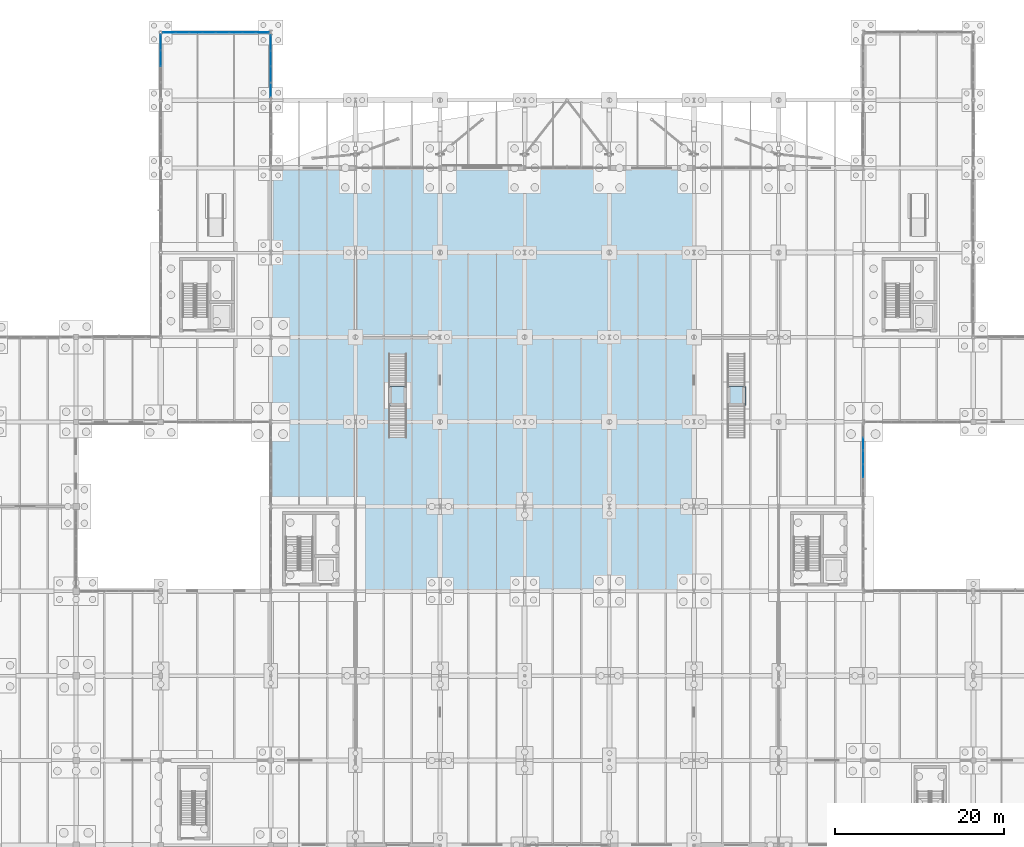
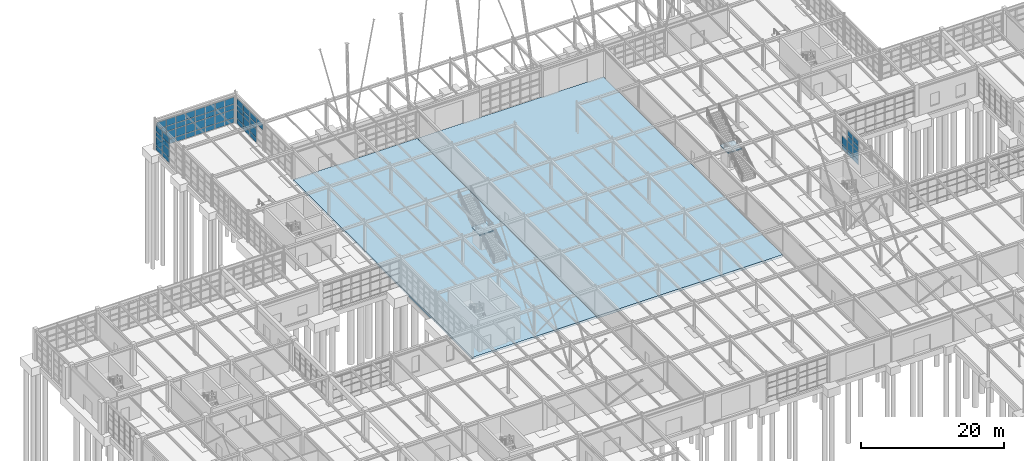
# One storey, part 90 of 145: 63 plates, 4 slabs, 6 elements without a shape of their own.
"""IFC4 building model written with IfcOpenShell, lengths in metres."""

from ifc_helpers import new_model, si_unit, direction, frame, origin, origin_2d, place, context, subcontext, project, spatial, polyline, rectangle, outline, extrude, material, layer, layer_set, type_object, element, aggregate, save


model = new_model("IFC4")

# Units and contexts
model_context = context("Model", 3, precision=1e-05, world=origin(), true_north=direction((0.0, 1.0)))
body_context = subcontext(model_context, "Body", "Model", "MODEL_VIEW")
ifc_project = project(units=[si_unit("LENGTHUNIT", "METRE"), si_unit("AREAUNIT", "SQUARE_METRE"), si_unit("VOLUMEUNIT", "CUBIC_METRE"), si_unit("PLANEANGLEUNIT", "RADIAN"), si_unit("MASSUNIT", "GRAM", prefix="KILO"), si_unit("THERMODYNAMICTEMPERATUREUNIT", "KELVIN"), si_unit("POWERUNIT", "WATT")], contexts=[model_context])

# Site, building, storey
site_placement = place(None, origin())
site = spatial("IfcSite", under=ifc_project, at=site_placement, CompositionType="ELEMENT")
building_placement = place(site_placement, origin())
building = spatial("IfcBuilding", under=site, at=building_placement, Name="Korenveer Ferry Terminal", CompositionType="ELEMENT")
storey_placement = place(building_placement, origin())
storey = spatial("IfcBuildingStorey", under=building, at=storey_placement, Name="L00", CompositionType="ELEMENT", Elevation=0.0)

# Curtain wall, plates
ifc_material_1 = material(Name="Unitised bronze-and-glass curtain wall", Category="glass")
ifc_layer_1 = layer(ifc_material_1, 0.219970703125)
ifc_layer_set_1 = layer_set([ifc_layer_1], Name="Unitised bronze-and-glass curtain wall")
curtain_wall_type_1 = type_object("IfcCurtainWallType", Name="ENV-CW-16", PredefinedType="USERDEFINED", material=ifc_layer_set_1)
curtain_wall_1_placement = place(storey_placement, frame((40.207763671875, 116.0, 0.0)))
curtain_wall_1 = element("IfcCurtainWall", 1, at=curtain_wall_1_placement, inside=storey, type_object=curtain_wall_type_1, Name="Lancet curtain wall CWX-L00-X40-53-Y116-116", ObjectType="UNITISED CURTAIN WALL", PredefinedType="USERDEFINED")
ifc_material_2 = material(Name="Acoustic laminated marine glazing", Category="glass")
ifc_layer_2 = layer(ifc_material_2, 0.035888671875)
ifc_layer_set_2 = layer_set([ifc_layer_2], Name="Acoustic laminated marine glazing")
plate_type = type_object("IfcPlateType", Name="ENV-CWP-GLZ36", PredefinedType="CURTAIN_PANEL", material=ifc_layer_set_2)
plate_1_placement = place(storey_placement, frame((41.014892578125, 116.0, 0.074951171875), z_axis=(0.0, 0.0, 1.0), x_axis=(1.0, 0.0, 0.0)))
plate_1 = element("IfcPlate", 2, at=plate_1_placement, type_object=plate_type, Name="CW-16 panel 1.1", PredefinedType="CURTAIN_PANEL", context=body_context, shape_type="SweptSolid", body=[
    extrude(rectangle(XDim=1.464111328125, YDim=0.035888671875, at=origin_2d()), origin(), (0.0, 0.0, 1.0), 0.78759765625),
])
plate_2_placement = place(storey_placement, frame((41.014892578125, 116.0, 0.9375), z_axis=(0.0, 0.0, 1.0), x_axis=(1.0, 0.0, 0.0)))
plate_2 = element("IfcPlate", 3, at=plate_2_placement, type_object=plate_type, Name="CW-16 panel 1.2", PredefinedType="CURTAIN_PANEL", context=body_context, shape_type="SweptSolid", body=[
    extrude(rectangle(XDim=1.464111328125, YDim=0.035888671875, at=origin_2d()), origin(), (0.0, 0.0, 1.0), 1.375),
])
plate_3_placement = place(storey_placement, frame((41.014892578125, 116.0, 2.3876953125), z_axis=(0.0, 0.0, 1.0), x_axis=(1.0, 0.0, 0.0)))
plate_3 = element("IfcPlate", 4, at=plate_3_placement, type_object=plate_type, Name="CW-16 panel 1.3", PredefinedType="CURTAIN_PANEL", context=body_context, shape_type="SweptSolid", body=[
    extrude(rectangle(XDim=1.464111328125, YDim=0.035888671875, at=origin_2d()), origin(), (0.0, 0.0, 1.0), 0.824951171875),
])
plate_4_placement = place(storey_placement, frame((41.014892578125, 116.0, 3.28759765625), z_axis=(0.0, 0.0, 1.0), x_axis=(1.0, 0.0, 0.0)))
plate_4 = element("IfcPlate", 5, at=plate_4_placement, type_object=plate_type, Name="CW-16 panel 1.4", PredefinedType="CURTAIN_PANEL", context=body_context, shape_type="SweptSolid", body=[
    extrude(rectangle(XDim=1.464111328125, YDim=0.035888671875, at=origin_2d()), origin(), (0.0, 0.0, 1.0), 1.12744140625),
])
plate_5_placement = place(storey_placement, frame((42.572509765625, 116.0, 0.074951171875), z_axis=(0.0, 0.0, 1.0), x_axis=(1.0, 0.0, 0.0)))
plate_5 = element("IfcPlate", 6, at=plate_5_placement, type_object=plate_type, Name="CW-16 panel 2.1", PredefinedType="CURTAIN_PANEL", context=body_context, shape_type="SweptSolid", body=[
    extrude(rectangle(XDim=1.50146484375, YDim=0.035888671875, at=origin_2d()), origin(), (0.0, 0.0, 1.0), 0.78759765625),
])
plate_6_placement = place(storey_placement, frame((42.572509765625, 116.0, 0.9375), z_axis=(0.0, 0.0, 1.0), x_axis=(1.0, 0.0, 0.0)))
plate_6 = element("IfcPlate", 7, at=plate_6_placement, type_object=plate_type, Name="CW-16 panel 2.2", PredefinedType="CURTAIN_PANEL", context=body_context, shape_type="SweptSolid", body=[
    extrude(rectangle(XDim=1.50146484375, YDim=0.035888671875, at=origin_2d()), origin(), (0.0, 0.0, 1.0), 1.375),
])
plate_7_placement = place(storey_placement, frame((42.572509765625, 116.0, 2.3876953125), z_axis=(0.0, 0.0, 1.0), x_axis=(1.0, 0.0, 0.0)))
plate_7 = element("IfcPlate", 8, at=plate_7_placement, type_object=plate_type, Name="CW-16 panel 2.3", PredefinedType="CURTAIN_PANEL", context=body_context, shape_type="SweptSolid", body=[
    extrude(rectangle(XDim=1.50146484375, YDim=0.035888671875, at=origin_2d()), origin(), (0.0, 0.0, 1.0), 0.824951171875),
])
plate_8_placement = place(storey_placement, frame((42.572509765625, 116.0, 3.28759765625), z_axis=(0.0, 0.0, 1.0), x_axis=(1.0, 0.0, 0.0)))
plate_8 = element("IfcPlate", 9, at=plate_8_placement, type_object=plate_type, Name="CW-16 panel 2.4", PredefinedType="CURTAIN_PANEL", context=body_context, shape_type="SweptSolid", body=[
    extrude(rectangle(XDim=1.50146484375, YDim=0.035888671875, at=origin_2d()), origin(), (0.0, 0.0, 1.0), 1.12744140625),
])
plate_9_placement = place(storey_placement, frame((44.149169921875, 116.0, 0.074951171875), z_axis=(0.0, 0.0, 1.0), x_axis=(1.0, 0.0, 0.0)))
plate_9 = element("IfcPlate", 10, at=plate_9_placement, type_object=plate_type, Name="CW-16 panel 3.1", PredefinedType="CURTAIN_PANEL", context=body_context, shape_type="SweptSolid", body=[
    extrude(rectangle(XDim=1.50146484375, YDim=0.035888671875, at=origin_2d()), origin(), (0.0, 0.0, 1.0), 0.78759765625),
])
plate_10_placement = place(storey_placement, frame((44.149169921875, 116.0, 0.9375), z_axis=(0.0, 0.0, 1.0), x_axis=(1.0, 0.0, 0.0)))
plate_10 = element("IfcPlate", 11, at=plate_10_placement, type_object=plate_type, Name="CW-16 panel 3.2", PredefinedType="CURTAIN_PANEL", context=body_context, shape_type="SweptSolid", body=[
    extrude(rectangle(XDim=1.50146484375, YDim=0.035888671875, at=origin_2d()), origin(), (0.0, 0.0, 1.0), 1.375),
])
plate_11_placement = place(storey_placement, frame((44.149169921875, 116.0, 2.3876953125), z_axis=(0.0, 0.0, 1.0), x_axis=(1.0, 0.0, 0.0)))
plate_11 = element("IfcPlate", 12, at=plate_11_placement, type_object=plate_type, Name="CW-16 panel 3.3", PredefinedType="CURTAIN_PANEL", context=body_context, shape_type="SweptSolid", body=[
    extrude(rectangle(XDim=1.50146484375, YDim=0.035888671875, at=origin_2d()), origin(), (0.0, 0.0, 1.0), 0.824951171875),
])
plate_12_placement = place(storey_placement, frame((44.149169921875, 116.0, 3.28759765625), z_axis=(0.0, 0.0, 1.0), x_axis=(1.0, 0.0, 0.0)))
plate_12 = element("IfcPlate", 13, at=plate_12_placement, type_object=plate_type, Name="CW-16 panel 3.4", PredefinedType="CURTAIN_PANEL", context=body_context, shape_type="SweptSolid", body=[
    extrude(rectangle(XDim=1.50146484375, YDim=0.035888671875, at=origin_2d()), origin(), (0.0, 0.0, 1.0), 1.12744140625),
])
plate_13_placement = place(storey_placement, frame((45.7255859375, 116.0, 0.074951171875), z_axis=(0.0, 0.0, 1.0), x_axis=(1.0, 0.0, 0.0)))
plate_13 = element("IfcPlate", 14, at=plate_13_placement, type_object=plate_type, Name="CW-16 panel 4.1", PredefinedType="CURTAIN_PANEL", context=body_context, shape_type="SweptSolid", body=[
    extrude(rectangle(XDim=1.50146484375, YDim=0.035888671875, at=origin_2d()), origin(), (0.0, 0.0, 1.0), 0.78759765625),
])
plate_14_placement = place(storey_placement, frame((45.7255859375, 116.0, 0.9375), z_axis=(0.0, 0.0, 1.0), x_axis=(1.0, 0.0, 0.0)))
plate_14 = element("IfcPlate", 15, at=plate_14_placement, type_object=plate_type, Name="CW-16 panel 4.2", PredefinedType="CURTAIN_PANEL", context=body_context, shape_type="SweptSolid", body=[
    extrude(rectangle(XDim=1.50146484375, YDim=0.035888671875, at=origin_2d()), origin(), (0.0, 0.0, 1.0), 1.375),
])
plate_15_placement = place(storey_placement, frame((45.7255859375, 116.0, 2.3876953125), z_axis=(0.0, 0.0, 1.0), x_axis=(1.0, 0.0, 0.0)))
plate_15 = element("IfcPlate", 16, at=plate_15_placement, type_object=plate_type, Name="CW-16 panel 4.3", PredefinedType="CURTAIN_PANEL", context=body_context, shape_type="SweptSolid", body=[
    extrude(rectangle(XDim=1.50146484375, YDim=0.035888671875, at=origin_2d()), origin(), (0.0, 0.0, 1.0), 0.824951171875),
])
plate_16_placement = place(storey_placement, frame((45.7255859375, 116.0, 3.28759765625), z_axis=(0.0, 0.0, 1.0), x_axis=(1.0, 0.0, 0.0)))
plate_16 = element("IfcPlate", 17, at=plate_16_placement, type_object=plate_type, Name="CW-16 panel 4.4", PredefinedType="CURTAIN_PANEL", context=body_context, shape_type="SweptSolid", body=[
    extrude(rectangle(XDim=1.50146484375, YDim=0.035888671875, at=origin_2d()), origin(), (0.0, 0.0, 1.0), 1.12744140625),
])
plate_17_placement = place(storey_placement, frame((47.30224609375, 116.0, 0.074951171875), z_axis=(0.0, 0.0, 1.0), x_axis=(1.0, 0.0, 0.0)))
plate_17 = element("IfcPlate", 18, at=plate_17_placement, type_object=plate_type, Name="CW-16 panel 5.1", PredefinedType="CURTAIN_PANEL", context=body_context, shape_type="SweptSolid", body=[
    extrude(rectangle(XDim=1.50146484375, YDim=0.035888671875, at=origin_2d()), origin(), (0.0, 0.0, 1.0), 0.78759765625),
])
plate_18_placement = place(storey_placement, frame((47.30224609375, 116.0, 0.9375), z_axis=(0.0, 0.0, 1.0), x_axis=(1.0, 0.0, 0.0)))
plate_18 = element("IfcPlate", 19, at=plate_18_placement, type_object=plate_type, Name="CW-16 panel 5.2", PredefinedType="CURTAIN_PANEL", context=body_context, shape_type="SweptSolid", body=[
    extrude(rectangle(XDim=1.50146484375, YDim=0.035888671875, at=origin_2d()), origin(), (0.0, 0.0, 1.0), 1.375),
])
plate_19_placement = place(storey_placement, frame((47.30224609375, 116.0, 2.3876953125), z_axis=(0.0, 0.0, 1.0), x_axis=(1.0, 0.0, 0.0)))
plate_19 = element("IfcPlate", 20, at=plate_19_placement, type_object=plate_type, Name="CW-16 panel 5.3", PredefinedType="CURTAIN_PANEL", context=body_context, shape_type="SweptSolid", body=[
    extrude(rectangle(XDim=1.50146484375, YDim=0.035888671875, at=origin_2d()), origin(), (0.0, 0.0, 1.0), 0.824951171875),
])
plate_20_placement = place(storey_placement, frame((47.30224609375, 116.0, 3.28759765625), z_axis=(0.0, 0.0, 1.0), x_axis=(1.0, 0.0, 0.0)))
plate_20 = element("IfcPlate", 21, at=plate_20_placement, type_object=plate_type, Name="CW-16 panel 5.4", PredefinedType="CURTAIN_PANEL", context=body_context, shape_type="SweptSolid", body=[
    extrude(rectangle(XDim=1.50146484375, YDim=0.035888671875, at=origin_2d()), origin(), (0.0, 0.0, 1.0), 1.12744140625),
])
plate_21_placement = place(storey_placement, frame((48.878662109375, 116.0, 0.074951171875), z_axis=(0.0, 0.0, 1.0), x_axis=(1.0, 0.0, 0.0)))
plate_21 = element("IfcPlate", 22, at=plate_21_placement, type_object=plate_type, Name="CW-16 panel 6.1", PredefinedType="CURTAIN_PANEL", context=body_context, shape_type="SweptSolid", body=[
    extrude(rectangle(XDim=1.50146484375, YDim=0.035888671875, at=origin_2d()), origin(), (0.0, 0.0, 1.0), 0.78759765625),
])
plate_22_placement = place(storey_placement, frame((48.878662109375, 116.0, 0.9375), z_axis=(0.0, 0.0, 1.0), x_axis=(1.0, 0.0, 0.0)))
plate_22 = element("IfcPlate", 23, at=plate_22_placement, type_object=plate_type, Name="CW-16 panel 6.2", PredefinedType="CURTAIN_PANEL", context=body_context, shape_type="SweptSolid", body=[
    extrude(rectangle(XDim=1.50146484375, YDim=0.035888671875, at=origin_2d()), origin(), (0.0, 0.0, 1.0), 1.375),
])
plate_23_placement = place(storey_placement, frame((48.878662109375, 116.0, 2.3876953125), z_axis=(0.0, 0.0, 1.0), x_axis=(1.0, 0.0, 0.0)))
plate_23 = element("IfcPlate", 24, at=plate_23_placement, type_object=plate_type, Name="CW-16 panel 6.3", PredefinedType="CURTAIN_PANEL", context=body_context, shape_type="SweptSolid", body=[
    extrude(rectangle(XDim=1.50146484375, YDim=0.035888671875, at=origin_2d()), origin(), (0.0, 0.0, 1.0), 0.824951171875),
])
plate_24_placement = place(storey_placement, frame((48.878662109375, 116.0, 3.28759765625), z_axis=(0.0, 0.0, 1.0), x_axis=(1.0, 0.0, 0.0)))
plate_24 = element("IfcPlate", 25, at=plate_24_placement, type_object=plate_type, Name="CW-16 panel 6.4", PredefinedType="CURTAIN_PANEL", context=body_context, shape_type="SweptSolid", body=[
    extrude(rectangle(XDim=1.50146484375, YDim=0.035888671875, at=origin_2d()), origin(), (0.0, 0.0, 1.0), 1.12744140625),
])
plate_25_placement = place(storey_placement, frame((50.455322265625, 116.0, 0.074951171875), z_axis=(0.0, 0.0, 1.0), x_axis=(1.0, 0.0, 0.0)))
plate_25 = element("IfcPlate", 26, at=plate_25_placement, type_object=plate_type, Name="CW-16 panel 7.1", PredefinedType="CURTAIN_PANEL", context=body_context, shape_type="SweptSolid", body=[
    extrude(rectangle(XDim=1.50146484375, YDim=0.035888671875, at=origin_2d()), origin(), (0.0, 0.0, 1.0), 0.78759765625),
])
plate_26_placement = place(storey_placement, frame((50.455322265625, 116.0, 0.9375), z_axis=(0.0, 0.0, 1.0), x_axis=(1.0, 0.0, 0.0)))
plate_26 = element("IfcPlate", 27, at=plate_26_placement, type_object=plate_type, Name="CW-16 panel 7.2", PredefinedType="CURTAIN_PANEL", context=body_context, shape_type="SweptSolid", body=[
    extrude(rectangle(XDim=1.50146484375, YDim=0.035888671875, at=origin_2d()), origin(), (0.0, 0.0, 1.0), 1.375),
])
plate_27_placement = place(storey_placement, frame((50.455322265625, 116.0, 2.3876953125), z_axis=(0.0, 0.0, 1.0), x_axis=(1.0, 0.0, 0.0)))
plate_27 = element("IfcPlate", 28, at=plate_27_placement, type_object=plate_type, Name="CW-16 panel 7.3", PredefinedType="CURTAIN_PANEL", context=body_context, shape_type="SweptSolid", body=[
    extrude(rectangle(XDim=1.50146484375, YDim=0.035888671875, at=origin_2d()), origin(), (0.0, 0.0, 1.0), 0.824951171875),
])
plate_28_placement = place(storey_placement, frame((50.455322265625, 116.0, 3.28759765625), z_axis=(0.0, 0.0, 1.0), x_axis=(1.0, 0.0, 0.0)))
plate_28 = element("IfcPlate", 29, at=plate_28_placement, type_object=plate_type, Name="CW-16 panel 7.4", PredefinedType="CURTAIN_PANEL", context=body_context, shape_type="SweptSolid", body=[
    extrude(rectangle(XDim=1.50146484375, YDim=0.035888671875, at=origin_2d()), origin(), (0.0, 0.0, 1.0), 1.12744140625),
])
plate_29_placement = place(storey_placement, frame((52.012939453125, 116.0, 0.074951171875), z_axis=(0.0, 0.0, 1.0), x_axis=(1.0, 0.0, 0.0)))
plate_29 = element("IfcPlate", 30, at=plate_29_placement, type_object=plate_type, Name="CW-16 panel 8.1", PredefinedType="CURTAIN_PANEL", context=body_context, shape_type="SweptSolid", body=[
    extrude(rectangle(XDim=1.464111328125, YDim=0.035888671875, at=origin_2d()), origin(), (0.0, 0.0, 1.0), 0.78759765625),
])
plate_30_placement = place(storey_placement, frame((52.012939453125, 116.0, 0.9375), z_axis=(0.0, 0.0, 1.0), x_axis=(1.0, 0.0, 0.0)))
plate_30 = element("IfcPlate", 31, at=plate_30_placement, type_object=plate_type, Name="CW-16 panel 8.2", PredefinedType="CURTAIN_PANEL", context=body_context, shape_type="SweptSolid", body=[
    extrude(rectangle(XDim=1.464111328125, YDim=0.035888671875, at=origin_2d()), origin(), (0.0, 0.0, 1.0), 1.375),
])
plate_31_placement = place(storey_placement, frame((52.012939453125, 116.0, 2.3876953125), z_axis=(0.0, 0.0, 1.0), x_axis=(1.0, 0.0, 0.0)))
plate_31 = element("IfcPlate", 32, at=plate_31_placement, type_object=plate_type, Name="CW-16 panel 8.3", PredefinedType="CURTAIN_PANEL", context=body_context, shape_type="SweptSolid", body=[
    extrude(rectangle(XDim=1.464111328125, YDim=0.035888671875, at=origin_2d()), origin(), (0.0, 0.0, 1.0), 0.824951171875),
])
plate_32_placement = place(storey_placement, frame((52.012939453125, 116.0, 3.28759765625), z_axis=(0.0, 0.0, 1.0), x_axis=(1.0, 0.0, 0.0)))
plate_32 = element("IfcPlate", 33, at=plate_32_placement, type_object=plate_type, Name="CW-16 panel 8.4", PredefinedType="CURTAIN_PANEL", context=body_context, shape_type="SweptSolid", body=[
    extrude(rectangle(XDim=1.464111328125, YDim=0.035888671875, at=origin_2d()), origin(), (0.0, 0.0, 1.0), 1.12744140625),
])
aggregate(curtain_wall_1, [plate_1, plate_2, plate_3, plate_4, plate_5, plate_6, plate_7, plate_8, plate_9, plate_10, plate_11, plate_12, plate_13, plate_14, plate_15, plate_16, plate_17, plate_18, plate_19, plate_20, plate_21, plate_22, plate_23, plate_24, plate_25, plate_26, plate_27, plate_28, plate_29, plate_30, plate_31, plate_32])

ifc_layer_3 = layer(ifc_material_1, 0.219970703125)
ifc_layer_set_3 = layer_set([ifc_layer_3], Name="Unitised bronze-and-glass curtain wall")
curtain_wall_type_2 = type_object("IfcCurtainWallType", Name="ENV-CW-24", PredefinedType="USERDEFINED", material=ifc_layer_set_3)
curtain_wall_2_placement = place(storey_placement, frame((40.0, 108.207763671875, 0.0)))
curtain_wall_2 = element("IfcCurtainWall", 34, at=curtain_wall_2_placement, inside=storey, type_object=curtain_wall_type_2, Name="Lancet curtain wall CWX-L00-X40-40-Y108-116", ObjectType="UNITISED CURTAIN WALL", PredefinedType="USERDEFINED")
plate_33_placement = place(storey_placement, frame((40.0, 112.947998046875, 0.074951171875), z_axis=(0.0, 0.0, 1.0), x_axis=(0.0, 1.0, 0.0)))
plate_33 = element("IfcPlate", 35, at=plate_33_placement, type_object=plate_type, Name="CW-24 panel 3.1", PredefinedType="CURTAIN_PANEL", context=body_context, shape_type="SweptSolid", body=[
    extrude(rectangle(XDim=1.821044921875, YDim=0.035888671875, at=origin_2d()), origin(), (0.0, 0.0, 1.0), 0.78759765625),
])
plate_34_placement = place(storey_placement, frame((40.0, 112.947998046875, 0.9375), z_axis=(0.0, 0.0, 1.0), x_axis=(0.0, 1.0, 0.0)))
plate_34 = element("IfcPlate", 36, at=plate_34_placement, type_object=plate_type, Name="CW-24 panel 3.2", PredefinedType="CURTAIN_PANEL", context=body_context, shape_type="SweptSolid", body=[
    extrude(rectangle(XDim=1.821044921875, YDim=0.035888671875, at=origin_2d()), origin(), (0.0, 0.0, 1.0), 1.375),
])
plate_35_placement = place(storey_placement, frame((40.0, 112.947998046875, 2.3876953125), z_axis=(0.0, 0.0, 1.0), x_axis=(0.0, 1.0, 0.0)))
plate_35 = element("IfcPlate", 37, at=plate_35_placement, type_object=plate_type, Name="CW-24 panel 3.3", PredefinedType="CURTAIN_PANEL", context=body_context, shape_type="SweptSolid", body=[
    extrude(rectangle(XDim=1.821044921875, YDim=0.035888671875, at=origin_2d()), origin(), (0.0, 0.0, 1.0), 0.824951171875),
])
plate_36_placement = place(storey_placement, frame((40.0, 112.947998046875, 3.28759765625), z_axis=(0.0, 0.0, 1.0), x_axis=(0.0, 1.0, 0.0)))
plate_36 = element("IfcPlate", 38, at=plate_36_placement, type_object=plate_type, Name="CW-24 panel 3.4", PredefinedType="CURTAIN_PANEL", context=body_context, shape_type="SweptSolid", body=[
    extrude(rectangle(XDim=1.821044921875, YDim=0.035888671875, at=origin_2d()), origin(), (0.0, 0.0, 1.0), 1.027587890625),
])
plate_37_placement = place(storey_placement, frame((40.0, 114.825439453125, 0.074951171875), z_axis=(0.0, 0.0, 1.0), x_axis=(0.0, 1.0, 0.0)))
plate_37 = element("IfcPlate", 39, at=plate_37_placement, type_object=plate_type, Name="CW-24 panel 4.1", PredefinedType="CURTAIN_PANEL", context=body_context, shape_type="SweptSolid", body=[
    extrude(rectangle(XDim=1.78369140625, YDim=0.035888671875, at=origin_2d()), origin(), (0.0, 0.0, 1.0), 0.78759765625),
])
plate_38_placement = place(storey_placement, frame((40.0, 114.825439453125, 0.9375), z_axis=(0.0, 0.0, 1.0), x_axis=(0.0, 1.0, 0.0)))
plate_38 = element("IfcPlate", 40, at=plate_38_placement, type_object=plate_type, Name="CW-24 panel 4.2", PredefinedType="CURTAIN_PANEL", context=body_context, shape_type="SweptSolid", body=[
    extrude(rectangle(XDim=1.78369140625, YDim=0.035888671875, at=origin_2d()), origin(), (0.0, 0.0, 1.0), 1.375),
])
plate_39_placement = place(storey_placement, frame((40.0, 114.825439453125, 2.3876953125), z_axis=(0.0, 0.0, 1.0), x_axis=(0.0, 1.0, 0.0)))
plate_39 = element("IfcPlate", 41, at=plate_39_placement, type_object=plate_type, Name="CW-24 panel 4.3", PredefinedType="CURTAIN_PANEL", context=body_context, shape_type="SweptSolid", body=[
    extrude(rectangle(XDim=1.78369140625, YDim=0.035888671875, at=origin_2d()), origin(), (0.0, 0.0, 1.0), 0.824951171875),
])
plate_40_placement = place(storey_placement, frame((40.0, 114.825439453125, 3.28759765625), z_axis=(0.0, 0.0, 1.0), x_axis=(0.0, 1.0, 0.0)))
plate_40 = element("IfcPlate", 42, at=plate_40_placement, type_object=plate_type, Name="CW-24 panel 4.4", PredefinedType="CURTAIN_PANEL", context=body_context, shape_type="SweptSolid", body=[
    extrude(rectangle(XDim=1.78369140625, YDim=0.035888671875, at=origin_2d()), origin(), (0.0, 0.0, 1.0), 1.027587890625),
])
aggregate(curtain_wall_2, [plate_33, plate_34, plate_35, plate_36, plate_37, plate_38, plate_39, plate_40])

ifc_layer_4 = layer(ifc_material_1, 0.219970703125)
ifc_layer_set_4 = layer_set([ifc_layer_4], Name="Unitised bronze-and-glass curtain wall")
curtain_wall_type_3 = type_object("IfcCurtainWallType", Name="ENV-CW-29", PredefinedType="USERDEFINED", material=ifc_layer_set_4)
curtain_wall_3_placement = place(storey_placement, frame((53.0, 115.719970703125, 0.0)))
curtain_wall_3 = element("IfcCurtainWall", 43, at=curtain_wall_3_placement, inside=storey, type_object=curtain_wall_type_3, Name="Lancet curtain wall CWX-L00-X53-53-Y108-116", ObjectType="UNITISED CURTAIN WALL", PredefinedType="USERDEFINED")
plate_41_placement = place(storey_placement, frame((53.0, 114.771240234375, 0.074951171875), z_axis=(0.0, 0.0, 1.0), x_axis=(0.0, -1.0, 0.0)))
plate_41 = element("IfcPlate", 44, at=plate_41_placement, type_object=plate_type, Name="CW-29 panel 1.1", PredefinedType="CURTAIN_PANEL", context=body_context, shape_type="SweptSolid", body=[
    extrude(rectangle(XDim=1.74755859375, YDim=0.035888671875, at=origin_2d()), origin(), (0.0, 0.0, 1.0), 0.78759765625),
])
plate_42_placement = place(storey_placement, frame((53.0, 114.771240234375, 0.9375), z_axis=(0.0, 0.0, 1.0), x_axis=(0.0, -1.0, 0.0)))
plate_42 = element("IfcPlate", 45, at=plate_42_placement, type_object=plate_type, Name="CW-29 panel 1.2", PredefinedType="CURTAIN_PANEL", context=body_context, shape_type="SweptSolid", body=[
    extrude(rectangle(XDim=1.74755859375, YDim=0.035888671875, at=origin_2d()), origin(), (0.0, 0.0, 1.0), 1.375),
])
plate_43_placement = place(storey_placement, frame((53.0, 114.771240234375, 2.3876953125), z_axis=(0.0, 0.0, 1.0), x_axis=(0.0, -1.0, 0.0)))
plate_43 = element("IfcPlate", 46, at=plate_43_placement, type_object=plate_type, Name="CW-29 panel 1.3", PredefinedType="CURTAIN_PANEL", context=body_context, shape_type="SweptSolid", body=[
    extrude(rectangle(XDim=1.74755859375, YDim=0.035888671875, at=origin_2d()), origin(), (0.0, 0.0, 1.0), 0.824951171875),
])
plate_44_placement = place(storey_placement, frame((53.0, 114.771240234375, 3.28759765625), z_axis=(0.0, 0.0, 1.0), x_axis=(0.0, -1.0, 0.0)))
plate_44 = element("IfcPlate", 47, at=plate_44_placement, type_object=plate_type, Name="CW-29 panel 1.4", PredefinedType="CURTAIN_PANEL", context=body_context, shape_type="SweptSolid", body=[
    extrude(rectangle(XDim=1.74755859375, YDim=0.035888671875, at=origin_2d()), origin(), (0.0, 0.0, 1.0), 1.027587890625),
])
plate_45_placement = place(storey_placement, frame((53.0, 112.929931640625, 0.074951171875), z_axis=(0.0, 0.0, 1.0), x_axis=(0.0, -1.0, 0.0)))
plate_45 = element("IfcPlate", 48, at=plate_45_placement, type_object=plate_type, Name="CW-29 panel 2.1", PredefinedType="CURTAIN_PANEL", context=body_context, shape_type="SweptSolid", body=[
    extrude(rectangle(XDim=1.784912109375, YDim=0.035888671875, at=origin_2d()), origin(), (0.0, 0.0, 1.0), 0.78759765625),
])
plate_46_placement = place(storey_placement, frame((53.0, 112.929931640625, 0.9375), z_axis=(0.0, 0.0, 1.0), x_axis=(0.0, -1.0, 0.0)))
plate_46 = element("IfcPlate", 49, at=plate_46_placement, type_object=plate_type, Name="CW-29 panel 2.2", PredefinedType="CURTAIN_PANEL", context=body_context, shape_type="SweptSolid", body=[
    extrude(rectangle(XDim=1.784912109375, YDim=0.035888671875, at=origin_2d()), origin(), (0.0, 0.0, 1.0), 1.375),
])
plate_47_placement = place(storey_placement, frame((53.0, 112.929931640625, 2.3876953125), z_axis=(0.0, 0.0, 1.0), x_axis=(0.0, -1.0, 0.0)))
plate_47 = element("IfcPlate", 50, at=plate_47_placement, type_object=plate_type, Name="CW-29 panel 2.3", PredefinedType="CURTAIN_PANEL", context=body_context, shape_type="SweptSolid", body=[
    extrude(rectangle(XDim=1.784912109375, YDim=0.035888671875, at=origin_2d()), origin(), (0.0, 0.0, 1.0), 0.824951171875),
])
plate_48_placement = place(storey_placement, frame((53.0, 112.929931640625, 3.28759765625), z_axis=(0.0, 0.0, 1.0), x_axis=(0.0, -1.0, 0.0)))
plate_48 = element("IfcPlate", 51, at=plate_48_placement, type_object=plate_type, Name="CW-29 panel 2.4", PredefinedType="CURTAIN_PANEL", context=body_context, shape_type="SweptSolid", body=[
    extrude(rectangle(XDim=1.784912109375, YDim=0.035888671875, at=origin_2d()), origin(), (0.0, 0.0, 1.0), 1.027587890625),
])
plate_49_placement = place(storey_placement, frame((53.0, 111.070068359375, 0.074951171875), z_axis=(0.0, 0.0, 1.0), x_axis=(0.0, -1.0, 0.0)))
plate_49 = element("IfcPlate", 52, at=plate_49_placement, type_object=plate_type, Name="CW-29 panel 3.1", PredefinedType="CURTAIN_PANEL", context=body_context, shape_type="SweptSolid", body=[
    extrude(rectangle(XDim=1.784912109375, YDim=0.035888671875, at=origin_2d()), origin(), (0.0, 0.0, 1.0), 0.78759765625),
])
plate_50_placement = place(storey_placement, frame((53.0, 111.070068359375, 0.9375), z_axis=(0.0, 0.0, 1.0), x_axis=(0.0, -1.0, 0.0)))
plate_50 = element("IfcPlate", 53, at=plate_50_placement, type_object=plate_type, Name="CW-29 panel 3.2", PredefinedType="CURTAIN_PANEL", context=body_context, shape_type="SweptSolid", body=[
    extrude(rectangle(XDim=1.784912109375, YDim=0.035888671875, at=origin_2d()), origin(), (0.0, 0.0, 1.0), 1.375),
])
plate_51_placement = place(storey_placement, frame((53.0, 111.070068359375, 2.3876953125), z_axis=(0.0, 0.0, 1.0), x_axis=(0.0, -1.0, 0.0)))
plate_51 = element("IfcPlate", 54, at=plate_51_placement, type_object=plate_type, Name="CW-29 panel 3.3", PredefinedType="CURTAIN_PANEL", context=body_context, shape_type="SweptSolid", body=[
    extrude(rectangle(XDim=1.784912109375, YDim=0.035888671875, at=origin_2d()), origin(), (0.0, 0.0, 1.0), 0.824951171875),
])
plate_52_placement = place(storey_placement, frame((53.0, 111.070068359375, 3.28759765625), z_axis=(0.0, 0.0, 1.0), x_axis=(0.0, -1.0, 0.0)))
plate_52 = element("IfcPlate", 55, at=plate_52_placement, type_object=plate_type, Name="CW-29 panel 3.4", PredefinedType="CURTAIN_PANEL", context=body_context, shape_type="SweptSolid", body=[
    extrude(rectangle(XDim=1.784912109375, YDim=0.035888671875, at=origin_2d()), origin(), (0.0, 0.0, 1.0), 1.027587890625),
])
plate_53_placement = place(storey_placement, frame((53.0, 109.228759765625, 3.28759765625), z_axis=(0.0, 0.0, 1.0), x_axis=(0.0, -1.0, 0.0)))
plate_53 = element("IfcPlate", 56, at=plate_53_placement, type_object=plate_type, Name="CW-29 panel 4.4", PredefinedType="CURTAIN_PANEL", context=body_context, shape_type="SweptSolid", body=[
    extrude(rectangle(XDim=1.74755859375, YDim=0.035888671875, at=origin_2d()), origin(), (0.0, 0.0, 1.0), 1.027587890625),
])
aggregate(curtain_wall_3, [plate_41, plate_42, plate_43, plate_44, plate_45, plate_46, plate_47, plate_48, plate_49, plate_50, plate_51, plate_52, plate_53])

ifc_layer_5 = layer(ifc_material_1, 0.219970703125)
ifc_layer_set_5 = layer_set([ifc_layer_5], Name="Unitised bronze-and-glass curtain wall")
curtain_wall_type_4 = type_object("IfcCurtainWallType", Name="ENV-CW-27", PredefinedType="USERDEFINED", material=ifc_layer_set_5)
curtain_wall_4_placement = place(storey_placement, frame((123.0, 69.719970703125, 0.0)))
curtain_wall_4 = element("IfcCurtainWall", 57, at=curtain_wall_4_placement, inside=storey, type_object=curtain_wall_type_4, Name="Lancet curtain wall CWX-L00-X123-123-Y60-70", ObjectType="UNITISED CURTAIN WALL", PredefinedType="USERDEFINED")
plate_54_placement = place(storey_placement, frame((123.0, 67.360107421875, 0.074951171875), z_axis=(0.0, 0.0, 1.0), x_axis=(0.0, -1.0, 0.0)))
plate_54 = element("IfcPlate", 58, at=plate_54_placement, type_object=plate_type, Name="CW-27 panel 2.1", PredefinedType="CURTAIN_PANEL", context=body_context, shape_type="SweptSolid", body=[
    extrude(rectangle(XDim=1.498291015625, YDim=0.035888671875, at=origin_2d()), origin(), (0.0, 0.0, 1.0), 0.78759765625),
])
plate_55_placement = place(storey_placement, frame((123.0, 67.360107421875, 0.9375), z_axis=(0.0, 0.0, 1.0), x_axis=(0.0, -1.0, 0.0)))
plate_55 = element("IfcPlate", 59, at=plate_55_placement, type_object=plate_type, Name="CW-27 panel 2.2", PredefinedType="CURTAIN_PANEL", context=body_context, shape_type="SweptSolid", body=[
    extrude(rectangle(XDim=1.498291015625, YDim=0.035888671875, at=origin_2d()), origin(), (0.0, 0.0, 1.0), 1.375),
])
plate_56_placement = place(storey_placement, frame((123.0, 65.78662109375, 0.074951171875), z_axis=(0.0, 0.0, 1.0), x_axis=(0.0, -1.0, 0.0)))
plate_56 = element("IfcPlate", 60, at=plate_56_placement, type_object=plate_type, Name="CW-27 panel 3.1", PredefinedType="CURTAIN_PANEL", context=body_context, shape_type="SweptSolid", body=[
    extrude(rectangle(XDim=1.498291015625, YDim=0.035888671875, at=origin_2d()), origin(), (0.0, 0.0, 1.0), 0.78759765625),
])
plate_57_placement = place(storey_placement, frame((123.0, 65.78662109375, 0.9375), z_axis=(0.0, 0.0, 1.0), x_axis=(0.0, -1.0, 0.0)))
plate_57 = element("IfcPlate", 61, at=plate_57_placement, type_object=plate_type, Name="CW-27 panel 3.2", PredefinedType="CURTAIN_PANEL", context=body_context, shape_type="SweptSolid", body=[
    extrude(rectangle(XDim=1.498291015625, YDim=0.035888671875, at=origin_2d()), origin(), (0.0, 0.0, 1.0), 1.375),
])
plate_58_placement = place(storey_placement, frame((123.0, 65.78662109375, 2.3876953125), z_axis=(0.0, 0.0, 1.0), x_axis=(0.0, -1.0, 0.0)))
plate_58 = element("IfcPlate", 62, at=plate_58_placement, type_object=plate_type, Name="CW-27 panel 3.3", PredefinedType="CURTAIN_PANEL", context=body_context, shape_type="SweptSolid", body=[
    extrude(rectangle(XDim=1.498291015625, YDim=0.035888671875, at=origin_2d()), origin(), (0.0, 0.0, 1.0), 0.824951171875),
])
plate_59_placement = place(storey_placement, frame((123.0, 65.78662109375, 3.28759765625), z_axis=(0.0, 0.0, 1.0), x_axis=(0.0, -1.0, 0.0)))
plate_59 = element("IfcPlate", 63, at=plate_59_placement, type_object=plate_type, Name="CW-27 panel 3.4", PredefinedType="CURTAIN_PANEL", context=body_context, shape_type="SweptSolid", body=[
    extrude(rectangle(XDim=1.498291015625, YDim=0.035888671875, at=origin_2d()), origin(), (0.0, 0.0, 1.0), 0.887451171875),
])
plate_60_placement = place(storey_placement, frame((123.0, 64.21337890625, 0.074951171875), z_axis=(0.0, 0.0, 1.0), x_axis=(0.0, -1.0, 0.0)))
plate_60 = element("IfcPlate", 64, at=plate_60_placement, type_object=plate_type, Name="CW-27 panel 4.1", PredefinedType="CURTAIN_PANEL", context=body_context, shape_type="SweptSolid", body=[
    extrude(rectangle(XDim=1.498291015625, YDim=0.035888671875, at=origin_2d()), origin(), (0.0, 0.0, 1.0), 0.78759765625),
])
plate_61_placement = place(storey_placement, frame((123.0, 64.21337890625, 0.9375), z_axis=(0.0, 0.0, 1.0), x_axis=(0.0, -1.0, 0.0)))
plate_61 = element("IfcPlate", 65, at=plate_61_placement, type_object=plate_type, Name="CW-27 panel 4.2", PredefinedType="CURTAIN_PANEL", context=body_context, shape_type="SweptSolid", body=[
    extrude(rectangle(XDim=1.498291015625, YDim=0.035888671875, at=origin_2d()), origin(), (0.0, 0.0, 1.0), 1.375),
])
plate_62_placement = place(storey_placement, frame((123.0, 64.21337890625, 2.3876953125), z_axis=(0.0, 0.0, 1.0), x_axis=(0.0, -1.0, 0.0)))
plate_62 = element("IfcPlate", 66, at=plate_62_placement, type_object=plate_type, Name="CW-27 panel 4.3", PredefinedType="CURTAIN_PANEL", context=body_context, shape_type="SweptSolid", body=[
    extrude(rectangle(XDim=1.498291015625, YDim=0.035888671875, at=origin_2d()), origin(), (0.0, 0.0, 1.0), 0.824951171875),
])
plate_63_placement = place(storey_placement, frame((123.0, 64.21337890625, 3.28759765625), z_axis=(0.0, 0.0, 1.0), x_axis=(0.0, -1.0, 0.0)))
plate_63 = element("IfcPlate", 67, at=plate_63_placement, type_object=plate_type, Name="CW-27 panel 4.4", PredefinedType="CURTAIN_PANEL", context=body_context, shape_type="SweptSolid", body=[
    extrude(rectangle(XDim=1.498291015625, YDim=0.035888671875, at=origin_2d()), origin(), (0.0, 0.0, 1.0), 0.887451171875),
])
aggregate(curtain_wall_4, [plate_54, plate_55, plate_56, plate_57, plate_58, plate_59, plate_60, plate_61, plate_62, plate_63])

# Stair, slab
ifc_material_3 = material(Name="Concrete C40/50", Category="concrete")
stair_type = type_object("IfcStairType", Name="INT-ST-FEAT", PredefinedType="STRAIGHT_RUN_STAIR", material=ifc_material_3)
stair_1_placement = place(storey_placement, frame((68.0, 68.159912109375, 0.0)))
stair_1 = element("IfcStair", 68, at=stair_1_placement, inside=storey, type_object=stair_type, Name="Concourse monumental stair ST13", PredefinedType="STRAIGHT_RUN_STAIR")
ifc_layer_6 = layer(ifc_material_3, 0.199951171875)
ifc_layer_set_6 = layer_set([ifc_layer_6], Name="Concrete C40/50")
slab_type_1 = type_object("IfcSlabType", Name="INT-SL-LAND200", PredefinedType="LANDING", material=ifc_layer_set_6)
slab_1_placement = place(storey_placement, frame((0.0, 0.0, 2.5)))
slab_1 = element("IfcSlab", 69, at=slab_1_placement, type_object=slab_type_1, Name="ST13 landing 1", PredefinedType="LANDING", context=body_context, shape_type="SweptSolid", body=[
    extrude(outline(polyline([(66.8798828125, 71.919921875), (69.1201171875, 71.919921875), (69.1201171875, 74.199951171875), (66.8798828125, 74.199951171875), (66.8798828125, 71.919921875)])), origin(), (0.0, 0.0, 1.0), 0.199951171875),
])
aggregate(stair_1, [slab_1])

stair_2_placement = place(storey_placement, frame((108.0, 68.159912109375, 0.0)))
stair_2 = element("IfcStair", 70, at=stair_2_placement, inside=storey, type_object=stair_type, Name="Concourse monumental stair ST14", PredefinedType="STRAIGHT_RUN_STAIR")
slab_2_placement = place(storey_placement, frame((0.0, 0.0, 2.5)))
slab_2 = element("IfcSlab", 71, at=slab_2_placement, type_object=slab_type_1, Name="ST14 landing 1", PredefinedType="LANDING", context=body_context, shape_type="SweptSolid", body=[
    extrude(outline(polyline([(106.8798828125, 71.919921875), (109.1201171875, 71.919921875), (109.1201171875, 74.199951171875), (106.8798828125, 74.199951171875), (106.8798828125, 71.919921875)])), origin(), (0.0, 0.0, 1.0), 0.199951171875),
])
aggregate(stair_2, [slab_2])

# Slabs
ifc_layer_7 = layer(ifc_material_3, 0.35009765625)
ifc_layer_set_7 = layer_set([ifc_layer_7], Name="Concrete C40/50")
slab_type_2 = type_object("IfcSlabType", Name="STR-SL-BASE350", PredefinedType="BASESLAB", material=ifc_layer_set_7)
slab_3_placement = place(storey_placement, frame((0.0, 0.0, -0.35009765625)))
element("IfcSlab", 72, at=slab_3_placement, inside=storey, type_object=slab_type_2, Name="Floor slab SL-L00-HW", PredefinedType="BASESLAB", context=body_context, shape_type="SweptSolid", body=[
    extrude(outline(polyline([(53.0, 50.0), (73.0, 50.0), (73.0, 100.0), (53.0, 100.0), (53.0, 50.0)])), origin(), (0.0, 0.0, 1.0), 0.35009765625),
])
ifc_layer_8 = layer(ifc_material_3, 0.39990234375)
ifc_layer_set_8 = layer_set([ifc_layer_8], Name="Concrete C40/50")
slab_type_3 = type_object("IfcSlabType", Name="STR-SL-BASE400", PredefinedType="BASESLAB", material=ifc_layer_set_8)
slab_4_placement = place(storey_placement, frame((0.0, 0.0, -0.39990234375)))
element("IfcSlab", 73, at=slab_4_placement, inside=storey, type_object=slab_type_3, Name="Floor slab SL-L00-RORO2", PredefinedType="BASESLAB", context=body_context, shape_type="SweptSolid", body=[
    extrude(outline(polyline([(73.0, 50.0), (103.0, 50.0), (103.0, 100.0), (73.0, 100.0), (73.0, 50.0)])), origin(), (0.0, 0.0, 1.0), 0.39990234375),
])

save(model, "model.ifc")
